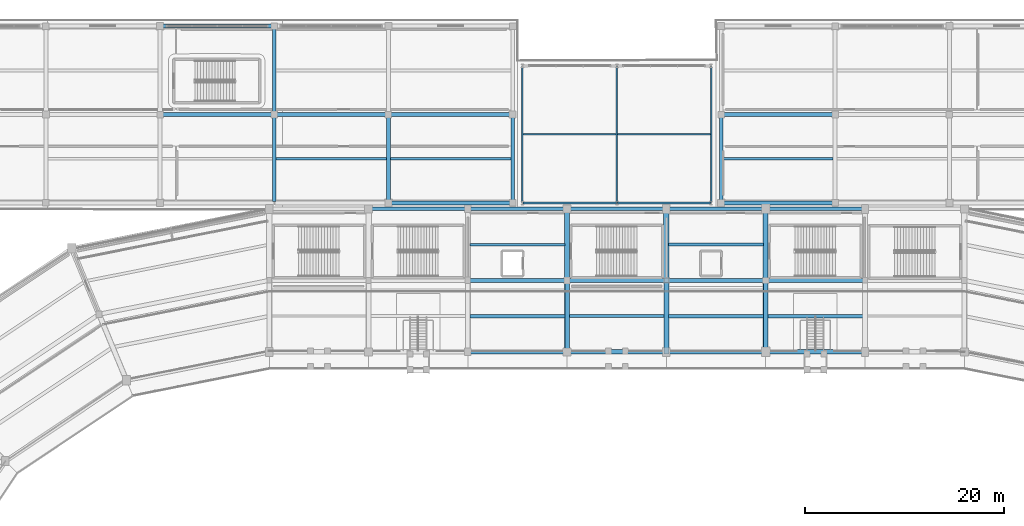
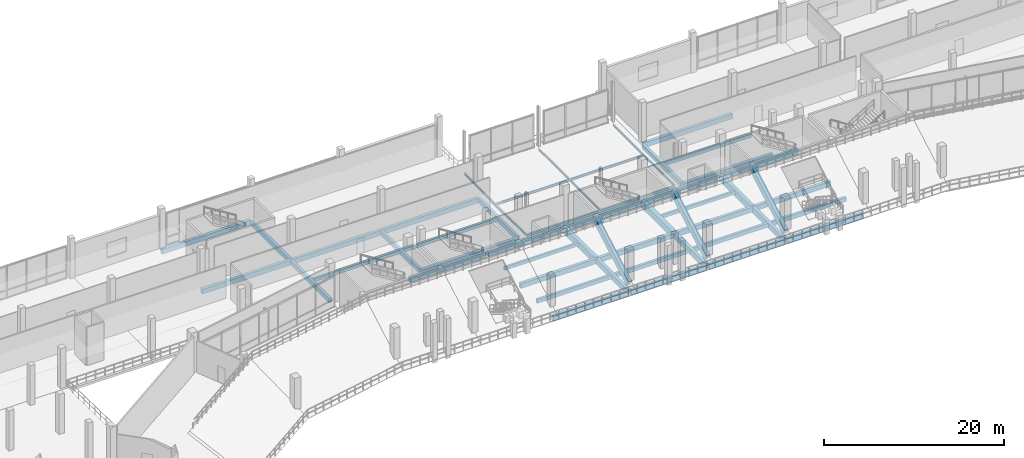
# One storey, part 52 of 127: 50 beams.
"""IFC4 building model written with IfcOpenShell, lengths in metres."""

from ifc_helpers import new_model, si_unit, direction, frame, origin, origin_2d, place, context, subcontext, project, spatial, rectangle, i_section, extrude, material, material_profile, profile_set, type_object, element, save


model = new_model("IFC4")

# Units and contexts
model_context = context("Model", 3, precision=1e-05, world=origin(), true_north=direction((0.0, 1.0)))
body_context = subcontext(model_context, "Body", "Model", "MODEL_VIEW")
ifc_project = project(units=[si_unit("LENGTHUNIT", "METRE"), si_unit("AREAUNIT", "SQUARE_METRE"), si_unit("VOLUMEUNIT", "CUBIC_METRE"), si_unit("PLANEANGLEUNIT", "RADIAN"), si_unit("MASSUNIT", "GRAM", prefix="KILO")], contexts=[model_context])

# Site, building, storey
site_placement = place(None, origin())
site = spatial("IfcSite", under=ifc_project, at=site_placement, CompositionType="ELEMENT")
building_placement = place(site_placement, origin())
building = spatial("IfcBuilding", under=site, at=building_placement, Name="Candeia Ridge Stadium", CompositionType="ELEMENT")
storey_placement = place(building_placement, frame((0.0, 0.0, 10.800048828125)))
storey = spatial("IfcBuildingStorey", under=building, at=storey_placement, Name="L02", CompositionType="ELEMENT", Elevation=10.800048828125)

# Beams
ifc_material_1 = material(Name="Concrete C45/55", Category="concrete")
ifc_material_profile_1 = material_profile(ifc_material_1, rectangle(XDim=0.449951171875, YDim=0.75, at=origin_2d()), Name="RC450x750", Category="concrete")
ifc_profile_set_1 = profile_set([ifc_material_profile_1], Name="Concrete C45/55")
beam_type_1 = type_object("IfcBeamType", Name="Bowl Radial Girder RC450x750", PredefinedType="BEAM", material=ifc_profile_set_1)
beam_1_placement = place(storey_placement, frame((121.0, 132.760009765625, -0.635009765625), z_axis=(0.0, 1.0, 0.0), x_axis=(-1.0, 0.0, 0.0)))
element("IfcBeam", 1, at=beam_1_placement, inside=storey, type_object=beam_type_1, Name="Bowl radial girder BM-L02-0245", PredefinedType="BEAM", context=body_context, shape_type="SweptSolid", body=[
    extrude(rectangle(XDim=0.449951171875, YDim=0.75, at=origin_2d()), origin(), (0.0, 0.0, 1.0), 6.8798828125),
])
ifc_material_2 = material(Name="Steel ASTM A572 Grade 50", Category="steel")
ifc_material_profile_2 = material_profile(ifc_material_2, i_section(OverallWidth=0.14794921875, OverallDepth=0.26611328125, WebThickness=0.007568359375, FlangeThickness=0.012939453125, FilletRadius=0.010986328125, at=origin_2d()), Name="W250x44.8", Category="steel")
ifc_profile_set_2 = profile_set([ifc_material_profile_2], Name="Steel ASTM A572 Grade 50")
beam_type_2 = type_object("IfcBeamType", Name="Canopy Edge Spandrel W250x44.8", PredefinedType="SPANDREL", material=ifc_profile_set_2)
for number, where, z_axis, x_axis, name in (
    (2, (96.5, 147.64990234375, -0.39306640625), (0.0, 1.0, 0.0), (-1.0, 0.0, 0.0), "Structural girder BM-L02-2205"),
    (3, (106.0, 147.64990234375, -0.39306640625), (0.0, 1.0, 0.0), (-1.0, 0.0, 0.0), "Structural girder BM-L02-2206"),
    (4, (115.5, 147.64990234375, -0.39306640625), (0.0, 1.0, 0.0), (-1.0, 0.0, 0.0), "Structural girder BM-L02-2207"),
):
    element("IfcBeam", number, at=place(storey_placement, frame(where, z_axis=z_axis, x_axis=x_axis)), inside=storey, type_object=beam_type_2, Name=name, PredefinedType="SPANDREL", context=body_context, shape_type="SweptSolid", body=[
        extrude(i_section(OverallWidth=0.14794921875, OverallDepth=0.26611328125, WebThickness=0.007568359375, FlangeThickness=0.012939453125, FilletRadius=0.010986328125, at=origin_2d()), origin(), (0.0, 0.0, 1.0), 13.7001953125),
    ])
ifc_material_profile_3 = material_profile(ifc_material_1, rectangle(XDim=0.5, YDim=0.89990234375, at=origin_2d()), Name="RC500x900", Category="concrete")
ifc_profile_set_3 = profile_set([ifc_material_profile_3], Name="Concrete C45/55")
beam_type_3 = type_object("IfcBeamType", Name="Club Stand Raker Beam RC500x900", PredefinedType="USERDEFINED", material=ifc_profile_set_3)
for number, where, z_axis, x_axis, name in (
    (5, (121.0, 132.60009765625, 0.624267578125), (0.0, 0.869244421404, 0.494382580455), (-1.0, 0.0, 0.0), "Stand T2 inclined concrete raker beam 03"),
    (6, (111.0, 132.60009765625, 0.624267578125), (0.0, 0.869244421404, 0.494382580455), (-1.0, 0.0, 0.0), "Stand T2 inclined concrete raker beam 04"),
    (7, (101.0, 132.60009765625, 0.624267578125), (0.0, 0.869244421404, 0.494382580455), (-1.0, 0.0, 0.0), "Stand T2 inclined concrete raker beam 05"),
):
    element("IfcBeam", number, at=place(storey_placement, frame(where, z_axis=z_axis, x_axis=x_axis)), inside=storey, type_object=beam_type_3, Name=name, ObjectType="RAKER", PredefinedType="USERDEFINED", context=body_context, shape_type="SweptSolid", body=[
        extrude(rectangle(XDim=0.5, YDim=0.89990234375, at=origin_2d()), origin(), (0.0, 0.0, 1.0), 8.282958984375),
    ])
ifc_material_3 = material(Name="Concrete C40/50", Category="concrete")
ifc_material_profile_4 = material_profile(ifc_material_3, rectangle(XDim=0.35009765625, YDim=0.550048828125, at=origin_2d()), Name="RC350x550", Category="concrete")
ifc_profile_set_4 = profile_set([ifc_material_profile_4], Name="Concrete C40/50")
beam_type_4 = type_object("IfcBeamType", Name="Concourse Concrete Joist RC350x550", PredefinedType="JOIST", material=ifc_profile_set_4)
beam_2_placement = place(storey_placement, frame((130.778076171875, 136.199951171875, -0.53515625), z_axis=(-1.0, 0.0, 0.0), x_axis=(0.0, -1.0, 0.0)))
element("IfcBeam", 8, at=beam_2_placement, inside=storey, type_object=beam_type_4, Name="Concourse secondary joist BM-L02-0320", PredefinedType="JOIST", context=body_context, shape_type="SweptSolid", body=[
    extrude(rectangle(XDim=0.35009765625, YDim=0.550048828125, at=origin_2d()), origin(), (0.0, 0.0, 1.0), 9.55615234375),
])
ifc_material_profile_5 = material_profile(ifc_material_3, rectangle(XDim=0.27001953125, YDim=0.43994140625, at=origin_2d()), Name="RC270x440", Category="concrete")
ifc_profile_set_5 = profile_set([ifc_material_profile_5], Name="Concrete C40/50")
beam_type_5 = type_object("IfcBeamType", Name="Floor Joist RC270x440", PredefinedType="JOIST", material=ifc_profile_set_5)
beam_3_placement = place(storey_placement, frame((100.778076171875, 143.39990234375, -0.47998046875), z_axis=(-1.0, 0.0, 0.0), x_axis=(0.0, -1.0, 0.0)))
element("IfcBeam", 9, at=beam_3_placement, inside=storey, type_object=beam_type_5, Name="Concourse secondary joist BM-L02-0334", PredefinedType="JOIST", context=body_context, shape_type="SweptSolid", body=[
    extrude(rectangle(XDim=0.27001953125, YDim=0.43994140625, at=origin_2d()), origin(), (0.0, 0.0, 1.0), 9.55615234375),
])
ifc_material_profile_6 = material_profile(ifc_material_3, rectangle(XDim=0.280029296875, YDim=0.4599609375, at=origin_2d()), Name="RC280x460", Category="concrete")
ifc_profile_set_6 = profile_set([ifc_material_profile_6], Name="Concrete C40/50")
beam_type_6 = type_object("IfcBeamType", Name="Floor Joist RC280x460", PredefinedType="JOIST", material=ifc_profile_set_6)
beam_4_placement = place(storey_placement, frame((120.778076171875, 143.39990234375, -0.489990234375), z_axis=(-1.0, 0.0, 0.0), x_axis=(0.0, -1.0, 0.0)))
element("IfcBeam", 10, at=beam_4_placement, inside=storey, type_object=beam_type_6, Name="Concourse secondary joist BM-L02-0325", PredefinedType="JOIST", context=body_context, shape_type="SweptSolid", body=[
    extrude(rectangle(XDim=0.280029296875, YDim=0.4599609375, at=origin_2d()), origin(), (0.0, 0.0, 1.0), 9.55615234375),
])
ifc_material_profile_7 = material_profile(ifc_material_3, rectangle(XDim=0.300048828125, YDim=0.449951171875, at=origin_2d()), Name="RC300x450", Category="concrete")
ifc_profile_set_7 = profile_set([ifc_material_profile_7], Name="Concrete C40/50")
beam_type_7 = type_object("IfcBeamType", Name="Floor Joist RC300x450", PredefinedType="JOIST", material=ifc_profile_set_7)
beam_5_placement = place(storey_placement, frame((71.699462890625, 152.050048828125, -0.485107421875), z_axis=(1.0, 0.0, 0.0), x_axis=(0.0, 1.0, 0.0)))
element("IfcBeam", 11, at=beam_5_placement, inside=storey, type_object=beam_type_7, Name="Wing secondary joist BM-L02-1723", PredefinedType="JOIST", context=body_context, shape_type="SweptSolid", body=[
    extrude(rectangle(XDim=0.300048828125, YDim=0.449951171875, at=origin_2d()), origin(), (0.0, 0.0, 1.0), 11.10107421875),
])
beam_6_placement = place(storey_placement, frame((83.199462890625, 152.050048828125, -0.485107421875), z_axis=(1.0, 0.0, 0.0), x_axis=(0.0, 1.0, 0.0)))
element("IfcBeam", 12, at=beam_6_placement, inside=storey, type_object=beam_type_7, Name="Wing secondary joist BM-L02-1728", PredefinedType="JOIST", context=body_context, shape_type="SweptSolid", body=[
    extrude(rectangle(XDim=0.300048828125, YDim=0.449951171875, at=origin_2d()), origin(), (0.0, 0.0, 1.0), 12.1259765625),
])
beam_7_placement = place(storey_placement, frame((116.674560546875, 152.050048828125, -0.485107421875), z_axis=(1.0, 0.0, 0.0), x_axis=(0.0, 1.0, 0.0)))
element("IfcBeam", 13, at=beam_7_placement, inside=storey, type_object=beam_type_7, Name="Wing secondary joist BM-L02-1747", PredefinedType="JOIST", context=body_context, shape_type="SweptSolid", body=[
    extrude(rectangle(XDim=0.300048828125, YDim=0.449951171875, at=origin_2d()), origin(), (0.0, 0.0, 1.0), 11.1259765625),
])
ifc_material_profile_8 = material_profile(ifc_material_3, rectangle(XDim=0.320068359375, YDim=0.52001953125, at=origin_2d()), Name="RC320x520", Category="concrete")
ifc_profile_set_8 = profile_set([ifc_material_profile_8], Name="Concrete C40/50")
beam_type_8 = type_object("IfcBeamType", Name="Floor Joist RC320x520", PredefinedType="JOIST", material=ifc_profile_set_8)
beam_8_placement = place(storey_placement, frame((110.778076171875, 136.199951171875, -0.52001953125), z_axis=(-1.0, 0.0, 0.0), x_axis=(0.0, -1.0, 0.0)))
element("IfcBeam", 14, at=beam_8_placement, inside=storey, type_object=beam_type_8, Name="Concourse secondary joist BM-L02-0329", PredefinedType="JOIST", context=body_context, shape_type="SweptSolid", body=[
    extrude(rectangle(XDim=0.320068359375, YDim=0.52001953125, at=origin_2d()), origin(), (0.0, 0.0, 1.0), 9.55615234375),
])
ifc_material_profile_9 = material_profile(ifc_material_3, rectangle(XDim=0.330078125, YDim=0.530029296875, at=origin_2d()), Name="RC330x530", Category="concrete")
ifc_profile_set_9 = profile_set([ifc_material_profile_9], Name="Concrete C40/50")
beam_type_9 = type_object("IfcBeamType", Name="Floor Joist RC330x530", PredefinedType="JOIST", material=ifc_profile_set_9)
beam_9_placement = place(storey_placement, frame((100.778076171875, 136.199951171875, -0.525146484375), z_axis=(-1.0, 0.0, 0.0), x_axis=(0.0, -1.0, 0.0)))
element("IfcBeam", 15, at=beam_9_placement, inside=storey, type_object=beam_type_9, Name="Concourse secondary joist BM-L02-0333", PredefinedType="JOIST", context=body_context, shape_type="SweptSolid", body=[
    extrude(rectangle(XDim=0.330078125, YDim=0.530029296875, at=origin_2d()), origin(), (0.0, 0.0, 1.0), 9.55615234375),
])
ifc_material_profile_10 = material_profile(ifc_material_3, rectangle(XDim=0.340087890625, YDim=0.5400390625, at=origin_2d()), Name="RC340x540", Category="concrete")
ifc_profile_set_10 = profile_set([ifc_material_profile_10], Name="Concrete C40/50")
beam_type_10 = type_object("IfcBeamType", Name="Floor Joist RC340x540", PredefinedType="JOIST", material=ifc_profile_set_10)
beam_10_placement = place(storey_placement, frame((120.778076171875, 136.199951171875, -0.530029296875), z_axis=(-1.0, 0.0, 0.0), x_axis=(0.0, -1.0, 0.0)))
element("IfcBeam", 16, at=beam_10_placement, inside=storey, type_object=beam_type_10, Name="Concourse secondary joist BM-L02-0324", PredefinedType="JOIST", context=body_context, shape_type="SweptSolid", body=[
    extrude(rectangle(XDim=0.340087890625, YDim=0.5400390625, at=origin_2d()), origin(), (0.0, 0.0, 1.0), 9.55615234375),
])
ifc_material_profile_11 = material_profile(ifc_material_3, rectangle(XDim=0.39990234375, YDim=0.60009765625, at=origin_2d()), Name="RC400x600", Category="concrete")
ifc_profile_set_11 = profile_set([ifc_material_profile_11], Name="Concrete C40/50")
beam_type_11 = type_object("IfcBeamType", Name="Frame Girder RC400x600", PredefinedType="BEAM", material=ifc_profile_set_11)
for number, where, z_axis, x_axis, name in (
    (17, (71.5, 147.760009765625, -0.56005859375), (0.0, 1.0, 0.0), (-1.0, 0.0, 0.0), "Structural girder BM-L02-1698"),
    (18, (71.5, 156.659912109375, -0.56005859375), (0.0, 1.0, 0.0), (-1.0, 0.0, 0.0), "Structural girder BM-L02-1699"),
    (19, (83.0, 147.760009765625, -0.56005859375), (0.0, 1.0, 0.0), (-1.0, 0.0, 0.0), "Structural girder BM-L02-1700"),
):
    element("IfcBeam", number, at=place(storey_placement, frame(where, z_axis=z_axis, x_axis=x_axis)), inside=storey, type_object=beam_type_11, Name=name, PredefinedType="BEAM", context=body_context, shape_type="SweptSolid", body=[
        extrude(rectangle(XDim=0.39990234375, YDim=0.60009765625, at=origin_2d()), origin(), (0.0, 0.0, 1.0), 8.580078125),
    ])
ifc_material_profile_12 = material_profile(ifc_material_3, rectangle(XDim=0.409912109375, YDim=0.659912109375, at=origin_2d()), Name="RC410x660", Category="concrete")
ifc_profile_set_12 = profile_set([ifc_material_profile_12], Name="Concrete C40/50")
beam_type_12 = type_object("IfcBeamType", Name="Frame Girder RC410x660", PredefinedType="BEAM", material=ifc_profile_set_12)
for number, where, z_axis, x_axis, name in (
    (20, (130.840087890625, 139.800048828125, -0.590087890625), (-1.0, 0.0, 0.0), (0.0, -1.0, 0.0), "Concourse spine girder BM-L02-0318"),
    (21, (120.840087890625, 139.800048828125, -0.590087890625), (-1.0, 0.0, 0.0), (0.0, -1.0, 0.0), "Concourse spine girder BM-L02-0322"),
    (22, (110.840087890625, 139.800048828125, -0.590087890625), (-1.0, 0.0, 0.0), (0.0, -1.0, 0.0), "Concourse spine girder BM-L02-0327"),
    (23, (100.840087890625, 139.800048828125, -0.590087890625), (-1.0, 0.0, 0.0), (0.0, -1.0, 0.0), "Concourse spine girder BM-L02-0331"),
):
    element("IfcBeam", number, at=place(storey_placement, frame(where, z_axis=z_axis, x_axis=x_axis)), inside=storey, type_object=beam_type_12, Name=name, PredefinedType="BEAM", context=body_context, shape_type="SweptSolid", body=[
        extrude(rectangle(XDim=0.409912109375, YDim=0.659912109375, at=origin_2d()), origin(), (0.0, 0.0, 1.0), 9.68017578125),
    ])
ifc_material_profile_13 = material_profile(ifc_material_3, rectangle(XDim=0.429931640625, YDim=0.739990234375, at=origin_2d()), Name="RC430x740", Category="concrete")
ifc_profile_set_13 = profile_set([ifc_material_profile_13], Name="Concrete C40/50")
beam_type_13 = type_object("IfcBeamType", Name="Frame Girder RC430x740", PredefinedType="BEAM", material=ifc_profile_set_13)
beam_11_placement = place(storey_placement, frame((101.0, 132.760009765625, -0.630126953125), z_axis=(0.0, 1.0, 0.0), x_axis=(-1.0, 0.0, 0.0)))
element("IfcBeam", 24, at=beam_11_placement, inside=storey, type_object=beam_type_13, Name="Bowl radial girder BM-L02-0249", PredefinedType="BEAM", context=body_context, shape_type="SweptSolid", body=[
    extrude(rectangle(XDim=0.429931640625, YDim=0.739990234375, at=origin_2d()), origin(), (0.0, 0.0, 1.0), 6.8798828125),
])
ifc_material_profile_14 = material_profile(ifc_material_3, rectangle(XDim=0.43994140625, YDim=0.719970703125, at=origin_2d()), Name="RC440x720", Category="concrete")
ifc_profile_set_14 = profile_set([ifc_material_profile_14], Name="Concrete C40/50")
beam_type_14 = type_object("IfcBeamType", Name="Frame Girder RC440x720", PredefinedType="BEAM", material=ifc_profile_set_14)
for number, where, z_axis, x_axis, name in (
    (25, (130.840087890625, 132.60009765625, -0.6201171875), (-1.0, 0.0, 0.0), (0.0, -1.0, 0.0), "Bowl inner ring girder BM-L02-0317"),
    (26, (120.840087890625, 132.60009765625, -0.6201171875), (-1.0, 0.0, 0.0), (0.0, -1.0, 0.0), "Bowl inner ring girder BM-L02-0321"),
    (27, (110.840087890625, 132.60009765625, -0.6201171875), (-1.0, 0.0, 0.0), (0.0, -1.0, 0.0), "Bowl inner ring girder BM-L02-0326"),
    (28, (100.840087890625, 132.60009765625, -0.6201171875), (-1.0, 0.0, 0.0), (0.0, -1.0, 0.0), "Bowl inner ring girder BM-L02-0330"),
):
    element("IfcBeam", number, at=place(storey_placement, frame(where, z_axis=z_axis, x_axis=x_axis)), inside=storey, type_object=beam_type_14, Name=name, PredefinedType="BEAM", context=body_context, shape_type="SweptSolid", body=[
        extrude(rectangle(XDim=0.43994140625, YDim=0.719970703125, at=origin_2d()), origin(), (0.0, 0.0, 1.0), 9.68017578125),
    ])
ifc_material_profile_15 = material_profile(ifc_material_3, rectangle(XDim=0.469970703125, YDim=0.760009765625, at=origin_2d()), Name="RC470x760", Category="concrete")
ifc_profile_set_15 = profile_set([ifc_material_profile_15], Name="Concrete C40/50")
beam_type_15 = type_object("IfcBeamType", Name="Frame Girder RC470x760", PredefinedType="BEAM", material=ifc_profile_set_15)
beam_12_placement = place(storey_placement, frame((111.0, 132.760009765625, -0.64013671875), z_axis=(0.0, 1.0, 0.0), x_axis=(-1.0, 0.0, 0.0)))
element("IfcBeam", 29, at=beam_12_placement, inside=storey, type_object=beam_type_15, Name="Bowl radial girder BM-L02-0247", PredefinedType="BEAM", context=body_context, shape_type="SweptSolid", body=[
    extrude(rectangle(XDim=0.469970703125, YDim=0.760009765625, at=origin_2d()), origin(), (0.0, 0.0, 1.0), 6.8798828125),
])
ifc_material_profile_16 = material_profile(ifc_material_1, rectangle(XDim=0.5, YDim=0.85009765625, at=origin_2d()), Name="RC500x850", Category="concrete")
ifc_profile_set_16 = profile_set([ifc_material_profile_16], Name="Concrete C45/55")
beam_type_16 = type_object("IfcBeamType", Name="Frame Girder RC500x850", PredefinedType="BEAM", material=ifc_profile_set_16)
beam_13_placement = place(storey_placement, frame((121.0, 139.9599609375, -0.68505859375), z_axis=(0.0, 1.0, 0.0), x_axis=(-1.0, 0.0, 0.0)))
element("IfcBeam", 30, at=beam_13_placement, inside=storey, type_object=beam_type_16, Name="Bowl radial girder BM-L02-0246", PredefinedType="BEAM", context=body_context, shape_type="SweptSolid", body=[
    extrude(rectangle(XDim=0.5, YDim=0.85009765625, at=origin_2d()), origin(), (0.0, 0.0, 1.0), 6.880126953125),
])
ifc_material_profile_17 = material_profile(ifc_material_1, rectangle(XDim=0.52001953125, YDim=0.8798828125, at=origin_2d()), Name="RC520x880", Category="concrete")
ifc_profile_set_17 = profile_set([ifc_material_profile_17], Name="Concrete C45/55")
beam_type_17 = type_object("IfcBeamType", Name="Frame Girder RC520x880", PredefinedType="BEAM", material=ifc_profile_set_17)
beam_14_placement = place(storey_placement, frame((101.0, 139.9599609375, -0.699951171875), z_axis=(0.0, 1.0, 0.0), x_axis=(-1.0, 0.0, 0.0)))
element("IfcBeam", 31, at=beam_14_placement, inside=storey, type_object=beam_type_17, Name="Bowl radial girder BM-L02-0250", PredefinedType="BEAM", context=body_context, shape_type="SweptSolid", body=[
    extrude(rectangle(XDim=0.52001953125, YDim=0.8798828125, at=origin_2d()), origin(), (0.0, 0.0, 1.0), 6.880126953125),
])
ifc_material_profile_18 = material_profile(ifc_material_1, rectangle(XDim=0.550048828125, YDim=0.919921875, at=origin_2d()), Name="RC550x920", Category="concrete")
ifc_profile_set_18 = profile_set([ifc_material_profile_18], Name="Concrete C45/55")
beam_type_18 = type_object("IfcBeamType", Name="Frame Girder RC550x920", PredefinedType="BEAM", material=ifc_profile_set_18)
beam_15_placement = place(storey_placement, frame((111.0, 139.9599609375, -0.719970703125), z_axis=(0.0, 1.0, 0.0), x_axis=(-1.0, 0.0, 0.0)))
element("IfcBeam", 32, at=beam_15_placement, inside=storey, type_object=beam_type_18, Name="Bowl radial girder BM-L02-0248", PredefinedType="BEAM", context=body_context, shape_type="SweptSolid", body=[
    extrude(rectangle(XDim=0.550048828125, YDim=0.919921875, at=origin_2d()), origin(), (0.0, 0.0, 1.0), 6.880126953125),
])
ifc_material_profile_19 = material_profile(ifc_material_2, i_section(OverallWidth=0.208984375, OverallDepth=0.532958984375, WebThickness=0.01025390625, FlangeThickness=0.015625, FilletRadius=0.013916015625, at=origin_2d()), Name="W530x92", Category="steel")
ifc_profile_set_19 = profile_set([ifc_material_profile_19], Name="Steel ASTM A572 Grade 50")
beam_type_19 = type_object("IfcBeamType", Name="Gate Portal Girder W530x92", PredefinedType="BEAM", material=ifc_profile_set_19)
for number, where, z_axis, x_axis, name in (
    (33, (96.550048828125, 147.60009765625, -0.526611328125), (1.0, 0.0, 0.0), (0.0, 1.0, 0.0), "Structural girder BM-L02-2208"),
    (34, (106.050048828125, 147.60009765625, -0.526611328125), (1.0, 0.0, 0.0), (0.0, 1.0, 0.0), "Structural girder BM-L02-2211"),
):
    element("IfcBeam", number, at=place(storey_placement, frame(where, z_axis=z_axis, x_axis=x_axis)), inside=storey, type_object=beam_type_19, Name=name, PredefinedType="BEAM", context=body_context, shape_type="SweptSolid", body=[
        extrude(i_section(OverallWidth=0.208984375, OverallDepth=0.532958984375, WebThickness=0.01025390625, FlangeThickness=0.015625, FilletRadius=0.013916015625, at=origin_2d()), origin(), (0.0, 0.0, 1.0), 9.39990234375),
    ])
ifc_material_profile_20 = material_profile(ifc_material_2, i_section(OverallWidth=0.1669921875, OverallDepth=0.31689453125, WebThickness=0.007568359375, FlangeThickness=0.01318359375, FilletRadius=0.011962890625, at=origin_2d()), Name="W310x52", Category="steel")
ifc_profile_set_20 = profile_set([ifc_material_profile_20], Name="Steel ASTM A572 Grade 50")
beam_type_20 = type_object("IfcBeamType", Name="Pavilion Secondary Joist W310x52", PredefinedType="JOIST", material=ifc_profile_set_20)
for number, where, z_axis, x_axis, name in (
    (35, (96.573486328125, 154.5, -0.41845703125), (1.0, 0.0, 0.0), (0.0, 1.0, 0.0), "Wing secondary joist BM-L02-2209"),
    (36, (106.073486328125, 154.5, -0.41845703125), (1.0, 0.0, 0.0), (0.0, 1.0, 0.0), "Wing secondary joist BM-L02-2212"),
):
    element("IfcBeam", number, at=place(storey_placement, frame(where, z_axis=z_axis, x_axis=x_axis)), inside=storey, type_object=beam_type_20, Name=name, PredefinedType="JOIST", context=body_context, shape_type="SweptSolid", body=[
        extrude(i_section(OverallWidth=0.1669921875, OverallDepth=0.31689453125, WebThickness=0.007568359375, FlangeThickness=0.01318359375, FilletRadius=0.011962890625, at=origin_2d()), origin(), (0.0, 0.0, 1.0), 9.35302734375),
    ])
ifc_material_profile_21 = material_profile(ifc_material_3, rectangle(XDim=0.35009765625, YDim=0.64990234375, at=origin_2d()), Name="RC350x650", Category="concrete")
ifc_profile_set_21 = profile_set([ifc_material_profile_21], Name="Concrete C40/50")
beam_type_21 = type_object("IfcBeamType", Name="Spandrel Beam RC350x650", PredefinedType="SPANDREL", material=ifc_profile_set_21)
for number, where, z_axis, x_axis, name in (
    (37, (95.5, 147.760009765625, -0.5849609375), (0.0, 1.0, 0.0), (-1.0, 0.0, 0.0), "Structural girder BM-L02-1702"),
    (38, (116.5, 147.760009765625, -0.5849609375), (0.0, 1.0, 0.0), (-1.0, 0.0, 0.0), "Structural girder BM-L02-1732"),
):
    element("IfcBeam", number, at=place(storey_placement, frame(where, z_axis=z_axis, x_axis=x_axis)), inside=storey, type_object=beam_type_21, Name=name, PredefinedType="SPANDREL", context=body_context, shape_type="SweptSolid", body=[
        extrude(rectangle(XDim=0.35009765625, YDim=0.64990234375, at=origin_2d()), origin(), (0.0, 0.0, 1.0), 8.580078125),
    ])
ifc_material_profile_22 = material_profile(ifc_material_1, rectangle(XDim=0.360107421875, YDim=0.719970703125, at=origin_2d()), Name="RC360x720", Category="concrete")
ifc_profile_set_22 = profile_set([ifc_material_profile_22], Name="Concrete C45/55")
beam_type_22 = type_object("IfcBeamType", Name="Spandrel Beam RC360x720", PredefinedType="SPANDREL", material=ifc_profile_set_22)
for number, where, z_axis, x_axis, name in (
    (39, (130.840087890625, 147.0, -0.6201171875), (-1.0, 0.0, 0.0), (0.0, -1.0, 0.0), "Bowl perimeter spandrel BM-L02-0319"),
    (40, (120.840087890625, 147.0, -0.6201171875), (-1.0, 0.0, 0.0), (0.0, -1.0, 0.0), "Bowl perimeter spandrel BM-L02-0323"),
    (41, (110.840087890625, 147.0, -0.6201171875), (-1.0, 0.0, 0.0), (0.0, -1.0, 0.0), "Bowl perimeter spandrel BM-L02-0328"),
    (42, (100.840087890625, 147.0, -0.6201171875), (-1.0, 0.0, 0.0), (0.0, -1.0, 0.0), "Bowl perimeter spandrel BM-L02-0332"),
    (43, (90.840087890625, 147.0, -0.6201171875), (-1.0, 0.0, 0.0), (0.0, -1.0, 0.0), "Bowl perimeter spandrel BM-L02-0337"),
):
    element("IfcBeam", number, at=place(storey_placement, frame(where, z_axis=z_axis, x_axis=x_axis)), inside=storey, type_object=beam_type_22, Name=name, PredefinedType="SPANDREL", context=body_context, shape_type="SweptSolid", body=[
        extrude(rectangle(XDim=0.360107421875, YDim=0.719970703125, at=origin_2d()), origin(), (0.0, 0.0, 1.0), 9.68017578125),
    ])
ifc_material_profile_23 = material_profile(ifc_material_3, rectangle(XDim=0.39990234375, YDim=0.64990234375, at=origin_2d()), Name="RC400x650", Category="concrete")
ifc_profile_set_23 = profile_set([ifc_material_profile_23], Name="Concrete C40/50")
beam_type_23 = type_object("IfcBeamType", Name="Wing Primary Girder RC400x650", PredefinedType="BEAM", material=ifc_profile_set_23)
for number, where, z_axis, x_axis, name in (
    (44, (60.050048828125, 156.5, -0.5849609375), (1.0, 0.0, 0.0), (0.0, 1.0, 0.0), "Structural girder BM-L02-1720"),
    (45, (60.050048828125, 165.39990234375, -0.5849609375), (1.0, 0.0, 0.0), (0.0, 1.0, 0.0), "Structural girder BM-L02-1721"),
    (46, (71.550048828125, 156.5, -0.5849609375), (1.0, 0.0, 0.0), (0.0, 1.0, 0.0), "Structural girder BM-L02-1724"),
):
    element("IfcBeam", number, at=place(storey_placement, frame(where, z_axis=z_axis, x_axis=x_axis)), inside=storey, type_object=beam_type_23, Name=name, PredefinedType="BEAM", context=body_context, shape_type="SweptSolid", body=[
        extrude(rectangle(XDim=0.39990234375, YDim=0.64990234375, at=origin_2d()), origin(), (0.0, 0.0, 1.0), 11.39990234375),
    ])
for number, where, z_axis, x_axis, name in (
    (47, (83.050048828125, 147.60009765625, -0.5849609375), (1.0, 0.0, 0.0), (0.0, 1.0, 0.0), "Structural girder BM-L02-1727"),
    (48, (83.050048828125, 156.5, -0.5849609375), (1.0, 0.0, 0.0), (0.0, 1.0, 0.0), "Structural girder BM-L02-1729"),
):
    element("IfcBeam", number, at=place(storey_placement, frame(where, z_axis=z_axis, x_axis=x_axis)), inside=storey, type_object=beam_type_23, Name=name, PredefinedType="BEAM", context=body_context, shape_type="SweptSolid", body=[
        extrude(rectangle(XDim=0.39990234375, YDim=0.64990234375, at=origin_2d()), origin(), (0.0, 0.0, 1.0), 12.39990234375),
    ])
for number, where, z_axis, x_axis, name in (
    (49, (116.550048828125, 147.60009765625, -0.5849609375), (1.0, 0.0, 0.0), (0.0, 1.0, 0.0), "Structural girder BM-L02-1746"),
    (50, (116.550048828125, 156.5, -0.5849609375), (1.0, 0.0, 0.0), (0.0, 1.0, 0.0), "Structural girder BM-L02-1748"),
):
    element("IfcBeam", number, at=place(storey_placement, frame(where, z_axis=z_axis, x_axis=x_axis)), inside=storey, type_object=beam_type_23, Name=name, PredefinedType="BEAM", context=body_context, shape_type="SweptSolid", body=[
        extrude(rectangle(XDim=0.39990234375, YDim=0.64990234375, at=origin_2d()), origin(), (0.0, 0.0, 1.0), 11.39990234375),
    ])

save(model, "model.ifc")
